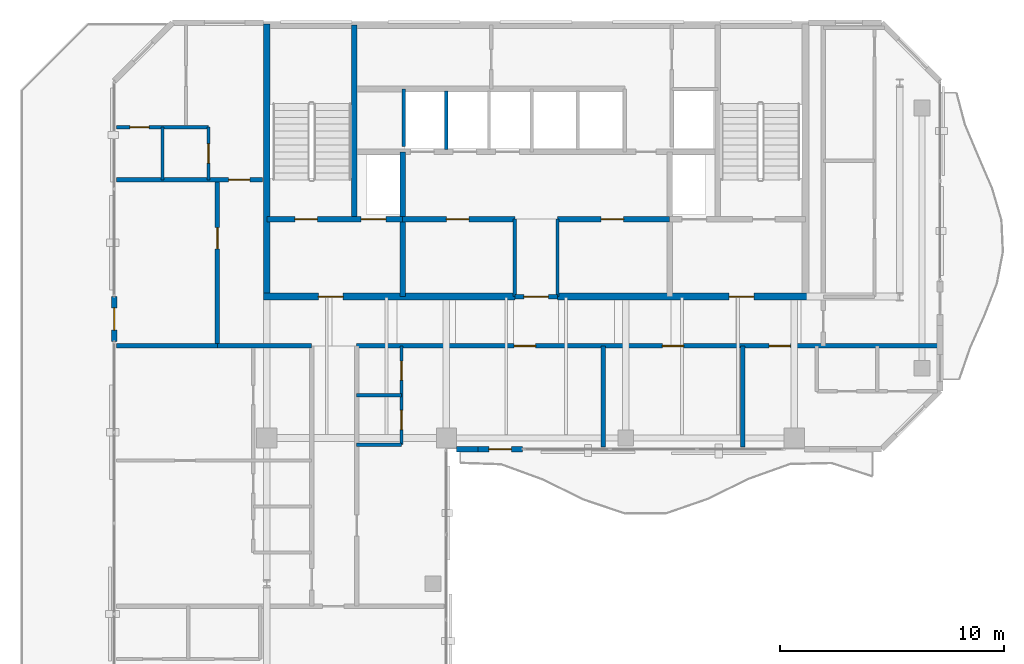
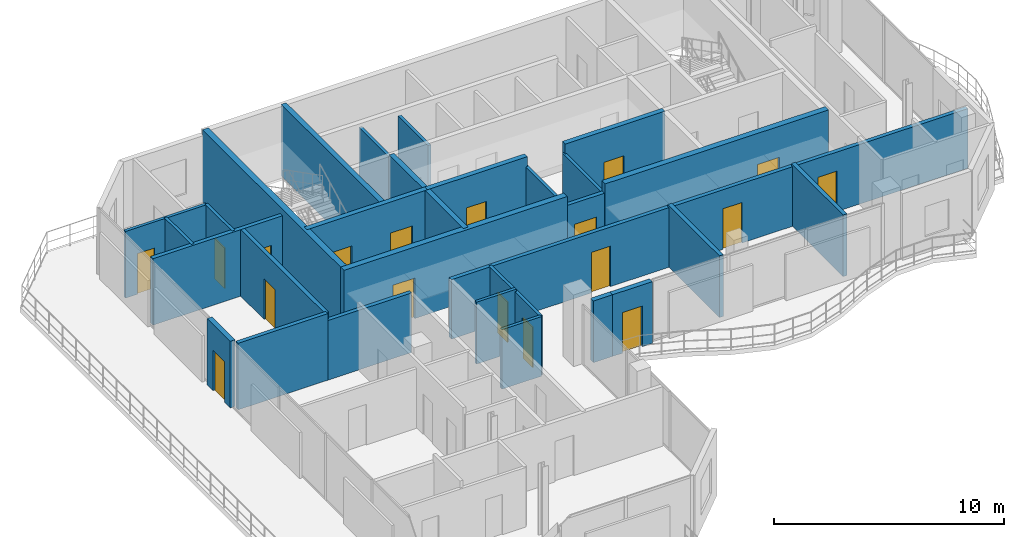
# One storey, part 14 of 18: 29 walls, 18 doors, 18 openings.
"""IFC4 building model written with IfcOpenShell, lengths in metres."""

from ifc_helpers import new_model, si_unit, direction, frame, frame_2d, origin, place, context, subcontext, project, spatial, rectangle, extrude, material, layer, layer_set, type_object, element, fill, save


model = new_model("IFC4")

# Units and contexts
model_context = context("Model", 3, precision=1e-05, world=origin(), true_north=direction((0.0, 1.0)))
body_context = subcontext(model_context, "Body", "Model", "MODEL_VIEW")
ifc_project = project(units=[si_unit("LENGTHUNIT", "METRE"), si_unit("AREAUNIT", "SQUARE_METRE"), si_unit("VOLUMEUNIT", "CUBIC_METRE"), si_unit("PLANEANGLEUNIT", "RADIAN"), si_unit("MASSUNIT", "GRAM", prefix="KILO")], contexts=[model_context])

# Site, building, storey
site_placement = place(None, origin())
site = spatial("IfcSite", under=ifc_project, at=site_placement, CompositionType="ELEMENT")
building_placement = place(site_placement, origin())
building = spatial("IfcBuilding", under=site, at=building_placement, Name="Catumbela Crestline Tower", CompositionType="ELEMENT")
storey_placement = place(building_placement, frame((0.0, 0.0, 264.0)))
storey = spatial("IfcBuildingStorey", under=building, at=storey_placement, Name="L68", CompositionType="ELEMENT", Elevation=264.0)

# Walls
ifc_material_1 = material(Name="Concrete C50/60", Category="concrete")
ifc_layer_1 = layer(ifc_material_1, 0.25, Name="Concrete C50/60")
ifc_layer_set_1 = layer_set([ifc_layer_1], Name="Concrete C50/60")
wall_type_1 = type_object("IfcWallType", Name="CW-250D", PredefinedType="SHEAR", material=ifc_layer_set_1)
wall_1_placement = place(storey_placement, frame((19.9, 34.25, 0.0), z_axis=(0.0, 0.0, 1.0), x_axis=(0.0, 1.0, 0.0)))
element("IfcWall", 1, at=wall_1_placement, inside=storey, type_object=wall_type_1, Name="L68 Structural Core Shear Wall WWEB", PredefinedType="SHEAR", context=body_context, shape_type="SweptSolid", body=[
    extrude(rectangle(XDim=8.65, YDim=0.25, at=frame_2d((4.325, 0.0))), origin(), (0.0, 0.0, 1.0), 3.8),
])
wall_2_placement = place(storey_placement, frame((22.05, 30.8, 0.0), z_axis=(0.0, 0.0, 1.0), x_axis=(0.0, 1.0, 0.0)))
element("IfcWall", 2, at=wall_2_placement, inside=storey, type_object=wall_type_1, Name="L68 Structural Core Shear Wall FFW", PredefinedType="SHEAR", context=body_context, shape_type="SweptSolid", body=[
    extrude(rectangle(XDim=6.45, YDim=0.25, at=frame_2d((3.225, 0.0))), origin(), (0.0, 0.0, 1.0), 3.8),
])

# Wall, openings, doors
wall_3_placement = place(storey_placement, frame((16.0, 34.25, 0.0), z_axis=(0.0, 0.0, 1.0), x_axis=(1.0, 0.0, 0.0)))
wall_3 = element("IfcWall", 3, at=wall_3_placement, inside=storey, type_object=wall_type_1, Name="L68 Structural Core Shear Wall ST1S", PredefinedType="SHEAR", context=body_context, shape_type="SweptSolid", body=[
    extrude(rectangle(XDim=6.05, YDim=0.25, at=frame_2d((3.025, 0.0))), origin(), (0.0, 0.0, 1.0), 3.8),
])
opening_1_placement = place(wall_3_placement, frame((1.25, 0.0, 0.0)))
opening_1 = element("IfcOpeningElement", 4, at=opening_1_placement, cuts=wall_3, Name="Opening DF9-100", PredefinedType="OPENING", context=body_context, shape_type="SweptSolid", body=[
    extrude(rectangle(XDim=1.0, YDim=2.15, at=frame_2d((0.5, 1.075))), frame((0.0, 0.135, 0.0), z_axis=(0.0, -1.0, 0.0), x_axis=(1.0, 0.0, 0.0)), (0.0, 0.0, 1.0), 0.27),
])
opening_2_placement = place(wall_3_placement, frame((4.2, 0.0, 0.0)))
opening_2 = element("IfcOpeningElement", 5, at=opening_2_placement, cuts=wall_3, Name="Opening LD-110", PredefinedType="OPENING", context=body_context, shape_type="SweptSolid", body=[
    extrude(rectangle(XDim=1.1, YDim=2.15, at=frame_2d((0.55, 1.075))), frame((0.0, 0.135, 0.0), z_axis=(0.0, -1.0, 0.0), x_axis=(1.0, 0.0, 0.0)), (0.0, 0.0, 1.0), 0.27),
])
ifc_material_2 = material(Name="Stainless steel EN 1.4401", Category="steel")
door_type_1 = type_object("IfcDoorType", Name="DF9-100", OperationType="NOTDEFINED", PredefinedType="DOOR", material=ifc_material_2)
door_1_placement = place(opening_1_placement, origin())
door_1 = element("IfcDoor", 6, at=door_1_placement, inside=storey, type_object=door_type_1, Name="L68 Interior Door DR-L68-ST01", OperationType="SINGLE_SWING_LEFT", OverallHeight=2.15, OverallWidth=1.0, PredefinedType="DOOR", context=body_context, shape_type="SweptSolid", body=[
    extrude(rectangle(XDim=1.0, YDim=2.15, at=frame_2d((0.5, 1.075))), frame((0.0, 0.025, 0.0), z_axis=(0.0, -1.0, 0.0), x_axis=(1.0, 0.0, 0.0)), (0.0, 0.0, 1.0), 0.05),
])
fill(opening_1, door_1)
door_type_2 = type_object("IfcDoorType", Name="LD-110", OperationType="NOTDEFINED", PredefinedType="DOOR", material=ifc_material_2)
door_2_placement = place(opening_2_placement, origin())
door_2 = element("IfcDoor", 7, at=door_2_placement, inside=storey, type_object=door_type_2, Name="L68 Lift Landing Sliding Door FL-01", OperationType="DOUBLE_DOOR_SLIDING", OverallHeight=2.15, OverallWidth=1.1, PredefinedType="DOOR", context=body_context, shape_type="SweptSolid", body=[
    extrude(rectangle(XDim=1.1, YDim=2.15, at=frame_2d((0.55, 1.075))), frame((0.0, 0.025, 0.0), z_axis=(0.0, -1.0, 0.0), x_axis=(1.0, 0.0, 0.0)), (0.0, 0.0, 1.0), 0.05),
])
fill(opening_2, door_2)

# Wall, opening, door
wall_4_placement = place(storey_placement, frame((22.05, 34.25, 0.0), z_axis=(0.0, 0.0, 1.0), x_axis=(1.0, 0.0, 0.0)))
wall_4 = element("IfcWall", 8, at=wall_4_placement, inside=storey, type_object=wall_type_1, Name="L68 Structural Core Shear Wall LIFTS-W", PredefinedType="SHEAR", context=body_context, shape_type="SweptSolid", body=[
    extrude(rectangle(XDim=5.0, YDim=0.25, at=frame_2d((2.5, 0.0))), origin(), (0.0, 0.0, 1.0), 3.8),
])
opening_3_placement = place(wall_4_placement, frame((1.95, 0.0, 0.0)))
opening_3 = element("IfcOpeningElement", 9, at=opening_3_placement, cuts=wall_4, Name="Opening DF9-100", PredefinedType="OPENING", context=body_context, shape_type="SweptSolid", body=[
    extrude(rectangle(XDim=1.0, YDim=2.15, at=frame_2d((0.5, 1.075))), frame((0.0, 0.135, 0.0), z_axis=(0.0, -1.0, 0.0), x_axis=(1.0, 0.0, 0.0)), (0.0, 0.0, 1.0), 0.27),
])
door_3_placement = place(opening_3_placement, origin())
door_3 = element("IfcDoor", 10, at=door_3_placement, inside=storey, type_object=door_type_1, Name="L68 Interior Door DR-L68-RECL1", OperationType="SINGLE_SWING_LEFT", OverallHeight=2.15, OverallWidth=1.0, PredefinedType="DOOR", context=body_context, shape_type="SweptSolid", body=[
    extrude(rectangle(XDim=1.0, YDim=2.15, at=frame_2d((0.5, 1.075))), frame((0.0, 0.025, 0.0), z_axis=(0.0, -1.0, 0.0), x_axis=(1.0, 0.0, 0.0)), (0.0, 0.0, 1.0), 0.05),
])
fill(opening_3, door_3)

wall_5_placement = place(storey_placement, frame((28.95, 34.25, 0.0), z_axis=(0.0, 0.0, 1.0), x_axis=(1.0, 0.0, 0.0)))
wall_5 = element("IfcWall", 11, at=wall_5_placement, inside=storey, type_object=wall_type_1, Name="L68 Structural Core Shear Wall LIFTS-E", PredefinedType="SHEAR", context=body_context, shape_type="SweptSolid", body=[
    extrude(rectangle(XDim=5.0, YDim=0.25, at=frame_2d((2.5, 0.0))), origin(), (0.0, 0.0, 1.0), 3.8),
])
opening_4_placement = place(wall_5_placement, frame((1.95, 0.0, 0.0)))
opening_4 = element("IfcOpeningElement", 12, at=opening_4_placement, cuts=wall_5, Name="Opening DF9-100", PredefinedType="OPENING", context=body_context, shape_type="SweptSolid", body=[
    extrude(rectangle(XDim=1.0, YDim=2.15, at=frame_2d((0.5, 1.075))), frame((0.0, 0.135, 0.0), z_axis=(0.0, -1.0, 0.0), x_axis=(1.0, 0.0, 0.0)), (0.0, 0.0, 1.0), 0.27),
])
door_4_placement = place(opening_4_placement, origin())
door_4 = element("IfcDoor", 13, at=door_4_placement, inside=storey, type_object=door_type_1, Name="L68 Interior Door DR-L68-RECL2", OperationType="SINGLE_SWING_RIGHT", OverallHeight=2.15, OverallWidth=1.0, PredefinedType="DOOR", context=body_context, shape_type="SweptSolid", body=[
    extrude(rectangle(XDim=1.0, YDim=2.15, at=frame_2d((0.5, 1.075))), frame((0.0, 0.025, 0.0), z_axis=(0.0, -1.0, 0.0), x_axis=(1.0, 0.0, 0.0)), (0.0, 0.0, 1.0), 0.05),
])
fill(opening_4, door_4)

# Wall
ifc_material_3 = material(Name="Concrete C45/55", Category="concrete")
ifc_layer_2 = layer(ifc_material_3, 0.3, Name="Concrete C45/55")
ifc_layer_set_2 = layer_set([ifc_layer_2], Name="Concrete C45/55")
wall_type_2 = type_object("IfcWallType", Name="CW-300C", PredefinedType="SHEAR", material=ifc_layer_set_2)
wall_6_placement = place(storey_placement, frame((16.0, 30.65, 0.0), z_axis=(0.0, 0.0, 1.0), x_axis=(0.0, 1.0, 0.0)))
element("IfcWall", 14, at=wall_6_placement, inside=storey, type_object=wall_type_2, Name="L68 Structural Core Shear Wall W", PredefinedType="SHEAR", context=body_context, shape_type="SweptSolid", body=[
    extrude(rectangle(XDim=12.3, YDim=0.3, at=frame_2d((6.15, 0.0))), origin(), (0.0, 0.0, 1.0), 3.8),
])

# Wall, opening, door
wall_7_placement = place(storey_placement, frame((15.85, 30.8, 0.0), z_axis=(0.0, 0.0, 1.0), x_axis=(1.0, 0.0, 0.0)))
wall_7 = element("IfcWall", 15, at=wall_7_placement, inside=storey, type_object=wall_type_2, Name="L68 Structural Core Shear Wall SW", PredefinedType="SHEAR", context=body_context, shape_type="SweptSolid", body=[
    extrude(rectangle(XDim=11.2, YDim=0.3, at=frame_2d((5.6, 0.0))), origin(), (0.0, 0.0, 1.0), 3.8),
])
opening_5_placement = place(wall_7_placement, frame((2.45, 0.0, 0.0)))
opening_5 = element("IfcOpeningElement", 16, at=opening_5_placement, cuts=wall_7, Name="Opening DF9-110", PredefinedType="OPENING", context=body_context, shape_type="SweptSolid", body=[
    extrude(rectangle(XDim=1.1, YDim=2.15, at=frame_2d((0.55, 1.075))), frame((0.0, 0.16, 0.0), z_axis=(0.0, -1.0, 0.0), x_axis=(1.0, 0.0, 0.0)), (0.0, 0.0, 1.0), 0.32),
])
door_type_3 = type_object("IfcDoorType", Name="DF9-110", OperationType="NOTDEFINED", PredefinedType="DOOR", material=ifc_material_2)
door_5_placement = place(opening_5_placement, origin())
door_5 = element("IfcDoor", 17, at=door_5_placement, inside=storey, type_object=door_type_3, Name="L68 Interior Door DR-L68-FFW-S", OperationType="SINGLE_SWING_LEFT", OverallHeight=2.15, OverallWidth=1.1, PredefinedType="DOOR", context=body_context, shape_type="SweptSolid", body=[
    extrude(rectangle(XDim=1.1, YDim=2.15, at=frame_2d((0.55, 1.075))), frame((0.0, 0.025, 0.0), z_axis=(0.0, -1.0, 0.0), x_axis=(1.0, 0.0, 0.0)), (0.0, 0.0, 1.0), 0.05),
])
fill(opening_5, door_5)

wall_8_placement = place(storey_placement, frame((28.95, 30.8, 0.0), z_axis=(0.0, 0.0, 1.0), x_axis=(1.0, 0.0, 0.0)))
wall_8 = element("IfcWall", 18, at=wall_8_placement, inside=storey, type_object=wall_type_2, Name="L68 Structural Core Shear Wall SE", PredefinedType="SHEAR", context=body_context, shape_type="SweptSolid", body=[
    extrude(rectangle(XDim=11.2, YDim=0.3, at=frame_2d((5.6, 0.0))), origin(), (0.0, 0.0, 1.0), 3.8),
])
opening_6_placement = place(wall_8_placement, frame((7.65, 0.0, 0.0)))
opening_6 = element("IfcOpeningElement", 19, at=opening_6_placement, cuts=wall_8, Name="Opening DF9-110", PredefinedType="OPENING", context=body_context, shape_type="SweptSolid", body=[
    extrude(rectangle(XDim=1.1, YDim=2.15, at=frame_2d((0.55, 1.075))), frame((0.0, 0.16, 0.0), z_axis=(0.0, -1.0, 0.0), x_axis=(1.0, 0.0, 0.0)), (0.0, 0.0, 1.0), 0.32),
])
door_6_placement = place(opening_6_placement, origin())
door_6 = element("IfcDoor", 20, at=door_6_placement, inside=storey, type_object=door_type_3, Name="L68 Interior Door DR-L68-FFE-S", OperationType="SINGLE_SWING_RIGHT", OverallHeight=2.15, OverallWidth=1.1, PredefinedType="DOOR", context=body_context, shape_type="SweptSolid", body=[
    extrude(rectangle(XDim=1.1, YDim=2.15, at=frame_2d((0.55, 1.075))), frame((0.0, 0.025, 0.0), z_axis=(0.0, -1.0, 0.0), x_axis=(1.0, 0.0, 0.0)), (0.0, 0.0, 1.0), 0.05),
])
fill(opening_6, door_6)

ifc_material_4 = material(Name="Acoustic gypsum and mineral-wool partition")
ifc_layer_3 = layer(ifc_material_4, 0.2, Name="Acoustic gypsum and mineral-wool partition")
ifc_layer_set_3 = layer_set([ifc_layer_3], Name="Acoustic gypsum and mineral-wool partition")
wall_type_3 = type_object("IfcWallType", Name="WC-200", PredefinedType="PARTITIONING", material=ifc_layer_set_3)
wall_9_placement = place(storey_placement, frame((27.05, 30.8, 0.0), z_axis=(0.0, 0.0, 1.0), x_axis=(1.0, 0.0, 0.0)))
wall_9 = element("IfcWall", 21, at=wall_9_placement, inside=storey, type_object=wall_type_3, Name="L68 Interior Partition PW-L68-CLOBS", PredefinedType="PARTITIONING", context=body_context, shape_type="SweptSolid", body=[
    extrude(rectangle(XDim=1.9, YDim=0.2, at=frame_2d((0.95, 0.0))), origin(), (0.0, 0.0, 1.0), 3.28),
])
opening_7_placement = place(wall_9_placement, frame((0.4, 0.0, 0.0)))
opening_7 = element("IfcOpeningElement", 22, at=opening_7_placement, cuts=wall_9, Name="Opening DF9-110", PredefinedType="OPENING", context=body_context, shape_type="SweptSolid", body=[
    extrude(rectangle(XDim=1.1, YDim=2.15, at=frame_2d((0.55, 1.075))), frame((0.0, 0.11, 0.0), z_axis=(0.0, -1.0, 0.0), x_axis=(1.0, 0.0, 0.0)), (0.0, 0.0, 1.0), 0.22),
])
door_7_placement = place(opening_7_placement, origin())
door_7 = element("IfcDoor", 23, at=door_7_placement, inside=storey, type_object=door_type_3, Name="L68 Interior Door DR-L68-CLOBS", OperationType="SINGLE_SWING_LEFT", OverallHeight=2.15, OverallWidth=1.1, PredefinedType="DOOR", context=body_context, shape_type="SweptSolid", body=[
    extrude(rectangle(XDim=1.1, YDim=2.15, at=frame_2d((0.55, 1.075))), frame((0.0, 0.025, 0.0), z_axis=(0.0, -1.0, 0.0), x_axis=(1.0, 0.0, 0.0)), (0.0, 0.0, 1.0), 0.05),
])
fill(opening_7, door_7)

# Wall
wall_10_placement = place(storey_placement, frame((13.8, 28.6, 0.0), z_axis=(0.0, 0.0, 1.0), x_axis=(1.0, 0.0, 0.0)))
element("IfcWall", 24, at=wall_10_placement, inside=storey, type_object=wall_type_3, Name="L68 Interior Partition PW-L68-RCWL", PredefinedType="PARTITIONING", context=body_context, shape_type="SweptSolid", body=[
    extrude(rectangle(XDim=4.2, YDim=0.2, at=frame_2d((2.1, 0.0))), origin(), (0.0, 0.0, 1.0), 3.16),
])

# Wall, openings, doors
wall_11_placement = place(storey_placement, frame((20.0, 28.6, 0.0), z_axis=(0.0, 0.0, 1.0), x_axis=(1.0, 0.0, 0.0)))
wall_11 = element("IfcWall", 25, at=wall_11_placement, inside=storey, type_object=wall_type_3, Name="L68 Interior Partition PW-L68-RCWR", PredefinedType="PARTITIONING", context=body_context, shape_type="SweptSolid", body=[
    extrude(rectangle(XDim=25.9, YDim=0.2, at=frame_2d((12.95, 0.0))), origin(), (0.0, 0.0, 1.0), 3.16),
])
opening_8_placement = place(wall_11_placement, frame((7.025, 0.0, 0.0)))
opening_8 = element("IfcOpeningElement", 26, at=opening_8_placement, cuts=wall_11, Name="Opening DF6-095", PredefinedType="OPENING", context=body_context, shape_type="SweptSolid", body=[
    extrude(rectangle(XDim=0.95, YDim=2.15, at=frame_2d((0.475, 1.075))), frame((0.0, 0.11, 0.0), z_axis=(0.0, -1.0, 0.0), x_axis=(1.0, 0.0, 0.0)), (0.0, 0.0, 1.0), 0.22),
])
opening_9_placement = place(wall_11_placement, frame((13.625, 0.0, 0.0)))
opening_9 = element("IfcOpeningElement", 27, at=opening_9_placement, cuts=wall_11, Name="Opening DF6-095", PredefinedType="OPENING", context=body_context, shape_type="SweptSolid", body=[
    extrude(rectangle(XDim=0.95, YDim=2.15, at=frame_2d((0.475, 1.075))), frame((0.0, 0.11, 0.0), z_axis=(0.0, -1.0, 0.0), x_axis=(1.0, 0.0, 0.0)), (0.0, 0.0, 1.0), 0.22),
])
opening_10_placement = place(wall_11_placement, frame((18.378, 0.0, 0.0)))
opening_10 = element("IfcOpeningElement", 28, at=opening_10_placement, cuts=wall_11, Name="Opening DF6-095", PredefinedType="OPENING", context=body_context, shape_type="SweptSolid", body=[
    extrude(rectangle(XDim=0.95, YDim=2.15, at=frame_2d((0.475, 1.075))), frame((0.0, 0.11, 0.0), z_axis=(0.0, -1.0, 0.0), x_axis=(1.0, 0.0, 0.0)), (0.0, 0.0, 1.0), 0.22),
])
ifc_material_5 = material(Name="Aluminium alloy AW-6060-T66", Category="aluminium")
door_type_4 = type_object("IfcDoorType", Name="DF6-095", OperationType="NOTDEFINED", PredefinedType="DOOR", material=ifc_material_5)
door_8_placement = place(opening_8_placement, origin())
door_8 = element("IfcDoor", 29, at=door_8_placement, inside=storey, type_object=door_type_4, Name="L68 Interior Door DR-L68-Z4G41-ENT", OperationType="SINGLE_SWING_LEFT", OverallHeight=2.15, OverallWidth=0.95, PredefinedType="DOOR", context=body_context, shape_type="SweptSolid", body=[
    extrude(rectangle(XDim=0.95, YDim=2.15, at=frame_2d((0.475, 1.075))), frame((0.0, 0.025, 0.0), z_axis=(0.0, -1.0, 0.0), x_axis=(1.0, 0.0, 0.0)), (0.0, 0.0, 1.0), 0.05),
])
fill(opening_8, door_8)
door_9_placement = place(opening_9_placement, origin())
door_9 = element("IfcDoor", 30, at=door_9_placement, inside=storey, type_object=door_type_4, Name="L68 Interior Door DR-L68-Z4G42-ENT", OperationType="SINGLE_SWING_RIGHT", OverallHeight=2.15, OverallWidth=0.95, PredefinedType="DOOR", context=body_context, shape_type="SweptSolid", body=[
    extrude(rectangle(XDim=0.95, YDim=2.15, at=frame_2d((0.475, 1.075))), frame((0.0, 0.025, 0.0), z_axis=(0.0, -1.0, 0.0), x_axis=(1.0, 0.0, 0.0)), (0.0, 0.0, 1.0), 0.05),
])
fill(opening_9, door_9)
door_10_placement = place(opening_10_placement, origin())
door_10 = element("IfcDoor", 31, at=door_10_placement, inside=storey, type_object=door_type_4, Name="L68 Interior Door DR-L68-S3-ENT", OperationType="SINGLE_SWING_LEFT", OverallHeight=2.15, OverallWidth=0.95, PredefinedType="DOOR", context=body_context, shape_type="SweptSolid", body=[
    extrude(rectangle(XDim=0.95, YDim=2.15, at=frame_2d((0.475, 1.075))), frame((0.0, 0.025, 0.0), z_axis=(0.0, -1.0, 0.0), x_axis=(1.0, 0.0, 0.0)), (0.0, 0.0, 1.0), 0.05),
])
fill(opening_10, door_10)

# Wall, opening, door
wall_12_placement = place(storey_placement, frame((13.8, 28.6, 0.0), z_axis=(0.0, 0.0, 1.0), x_axis=(0.0, 1.0, 0.0)))
wall_12 = element("IfcWall", 32, at=wall_12_placement, inside=storey, type_object=wall_type_3, Name="L68 Interior Partition PW-L68-NWAM-ENT", PredefinedType="PARTITIONING", context=body_context, shape_type="SweptSolid", body=[
    extrude(rectangle(XDim=7.4, YDim=0.2, at=frame_2d((3.7, 0.0))), origin(), (0.0, 0.0, 1.0), 3.53),
])
opening_11_placement = place(wall_12_placement, frame((4.325, 0.0, 0.0)))
opening_11 = element("IfcOpeningElement", 33, at=opening_11_placement, cuts=wall_12, Name="Opening DF6-095", PredefinedType="OPENING", context=body_context, shape_type="SweptSolid", body=[
    extrude(rectangle(XDim=0.95, YDim=2.15, at=frame_2d((0.475, 1.075))), frame((0.0, 0.11, 0.0), z_axis=(0.0, -1.0, 0.0), x_axis=(1.0, 0.0, 0.0)), (0.0, 0.0, 1.0), 0.22),
])
door_11_placement = place(opening_11_placement, origin())
door_11 = element("IfcDoor", 34, at=door_11_placement, inside=storey, type_object=door_type_4, Name="L68 Interior Door DR-L68-NWAM-ENT", OperationType="SINGLE_SWING_RIGHT", OverallHeight=2.15, OverallWidth=0.95, PredefinedType="DOOR", context=body_context, shape_type="SweptSolid", body=[
    extrude(rectangle(XDim=0.95, YDim=2.15, at=frame_2d((0.475, 1.075))), frame((0.0, 0.025, 0.0), z_axis=(0.0, -1.0, 0.0), x_axis=(1.0, 0.0, 0.0)), (0.0, 0.0, 1.0), 0.05),
])
fill(opening_11, door_11)

wall_13_placement = place(storey_placement, frame((9.3, 36.0, 0.0), z_axis=(0.0, 0.0, 1.0), x_axis=(1.0, 0.0, 0.0)))
wall_13 = element("IfcWall", 35, at=wall_13_placement, inside=storey, type_object=wall_type_3, Name="L68 Interior Partition PW-L68-NW1-ENT", PredefinedType="PARTITIONING", context=body_context, shape_type="SweptSolid", body=[
    extrude(rectangle(XDim=6.5, YDim=0.2, at=frame_2d((3.25, 0.0))), origin(), (0.0, 0.0, 1.0), 3.53),
])
opening_12_placement = place(wall_13_placement, frame((4.995, 0.0, 0.0)))
opening_12 = element("IfcOpeningElement", 36, at=opening_12_placement, cuts=wall_13, Name="Opening DF6-095", PredefinedType="OPENING", context=body_context, shape_type="SweptSolid", body=[
    extrude(rectangle(XDim=0.95, YDim=2.15, at=frame_2d((0.475, 1.075))), frame((0.0, 0.11, 0.0), z_axis=(0.0, -1.0, 0.0), x_axis=(1.0, 0.0, 0.0)), (0.0, 0.0, 1.0), 0.22),
])
door_12_placement = place(opening_12_placement, origin())
door_12 = element("IfcDoor", 37, at=door_12_placement, inside=storey, type_object=door_type_4, Name="L68 Interior Door DR-L68-NW1-ENT", OperationType="SINGLE_SWING_LEFT", OverallHeight=2.15, OverallWidth=0.95, PredefinedType="DOOR", context=body_context, shape_type="SweptSolid", body=[
    extrude(rectangle(XDim=0.95, YDim=2.15, at=frame_2d((0.475, 1.075))), frame((0.0, 0.025, 0.0), z_axis=(0.0, -1.0, 0.0), x_axis=(1.0, 0.0, 0.0)), (0.0, 0.0, 1.0), 0.05),
])
fill(opening_12, door_12)

ifc_material_6 = material(Name="Angolan grey-ochre granite", Category="masonry")
ifc_layer_4 = layer(ifc_material_6, 0.25, Name="Angolan grey-ochre granite")
ifc_layer_set_4 = layer_set([ifc_layer_4], Name="Angolan grey-ochre granite")
wall_type_4 = type_object("IfcWallType", Name="WE-250", PredefinedType="STANDARD", material=ifc_layer_set_4)
wall_14_placement = place(storey_placement, frame((25.4, 24.0, 0.0), z_axis=(0.0, 0.0, 1.0), x_axis=(1.0, 0.0, 0.0)))
wall_14 = element("IfcWall", 38, at=wall_14_placement, inside=storey, type_object=wall_type_4, Name="L68 Exterior Threshold Portal Wall DR-L68-WBAL-1", PredefinedType="STANDARD", context=body_context, shape_type="SweptSolid", body=[
    extrude(rectangle(XDim=2.0, YDim=0.25, at=frame_2d((1.0, 0.0))), origin(), (0.0, 0.0, 1.0), 3.27),
])
opening_13_placement = place(wall_14_placement, frame((0.5, 0.0, 0.0)))
opening_13 = element("IfcOpeningElement", 39, at=opening_13_placement, cuts=wall_14, Name="Opening DB-L68-1", PredefinedType="OPENING", context=body_context, shape_type="SweptSolid", body=[
    extrude(rectangle(XDim=1.0, YDim=2.15, at=frame_2d((0.5, 1.075))), frame((0.0, 0.135, 0.0), z_axis=(0.0, -1.0, 0.0), x_axis=(1.0, 0.0, 0.0)), (0.0, 0.0, 1.0), 0.27),
])
door_type_5 = type_object("IfcDoorType", Name="DB-1000", OperationType="NOTDEFINED", PredefinedType="DOOR", material=ifc_material_5)
door_13_placement = place(opening_13_placement, origin())
door_13 = element("IfcDoor", 40, at=door_13_placement, inside=storey, type_object=door_type_5, Name="L68 Wave Balcony Terrace Door 1", OperationType="SINGLE_SWING_RIGHT", OverallHeight=2.15, OverallWidth=1.0, PredefinedType="DOOR", context=body_context, shape_type="SweptSolid", body=[
    extrude(rectangle(XDim=1.0, YDim=2.15, at=frame_2d((0.5, 1.075))), frame((0.0, 0.025, 0.0), z_axis=(0.0, -1.0, 0.0), x_axis=(1.0, 0.0, 0.0)), (0.0, 0.0, 1.0), 0.05),
])
fill(opening_13, door_13)

# Wall
wall_15_placement = place(storey_placement, frame((24.45, 24.0, 0.0), z_axis=(0.0, 0.0, 1.0), x_axis=(1.0, 0.0, 0.0)))
element("IfcWall", 41, at=wall_15_placement, inside=storey, type_object=wall_type_4, Name="L68 Granite Punched Window Wall 3-1", PredefinedType="STANDARD", context=body_context, shape_type="SweptSolid", body=[
    extrude(rectangle(XDim=0.95, YDim=0.25, at=frame_2d((0.475, 0.0))), origin(), (0.0, 0.0, 1.0), 3.27),
])

# Wall, opening, door
wall_16_placement = place(storey_placement, frame((9.2, 30.8, 0.0), z_axis=(0.0, 0.0, 1.0), x_axis=(0.0, -1.0, 0.0)))
wall_16 = element("IfcWall", 42, at=wall_16_placement, inside=storey, type_object=wall_type_4, Name="L68 Exterior Threshold Portal Wall DR-L68-STEP-W1", PredefinedType="STANDARD", context=body_context, shape_type="SweptSolid", body=[
    extrude(rectangle(XDim=2.0, YDim=0.25, at=frame_2d((1.0, 0.0))), origin(), (0.0, 0.0, 1.0), 3.53),
])
opening_14_placement = place(wall_16_placement, frame((0.5, 0.0, 0.0)))
opening_14 = element("IfcOpeningElement", 43, at=opening_14_placement, cuts=wall_16, Name="Opening DT-L68", PredefinedType="OPENING", context=body_context, shape_type="SweptSolid", body=[
    extrude(rectangle(XDim=1.0, YDim=2.15, at=frame_2d((0.5, 1.075))), frame((0.0, 0.135, 0.0), z_axis=(0.0, -1.0, 0.0), x_axis=(1.0, 0.0, 0.0)), (0.0, 0.0, 1.0), 0.27),
])
door_14_placement = place(opening_14_placement, origin())
door_14 = element("IfcDoor", 44, at=door_14_placement, inside=storey, type_object=door_type_5, Name="L68 West Stepped Terrace Door", OperationType="SINGLE_SWING_LEFT", OverallHeight=2.15, OverallWidth=1.0, PredefinedType="DOOR", context=body_context, shape_type="SweptSolid", body=[
    extrude(rectangle(XDim=1.0, YDim=2.15, at=frame_2d((0.5, 1.075))), frame((0.0, 0.025, 0.0), z_axis=(0.0, -1.0, 0.0), x_axis=(1.0, 0.0, 0.0)), (0.0, 0.0, 1.0), 0.05),
])
fill(opening_14, door_14)

ifc_layer_5 = layer(ifc_material_4, 0.15, Name="Acoustic gypsum and mineral-wool partition")
ifc_layer_set_5 = layer_set([ifc_layer_5], Name="Acoustic gypsum and mineral-wool partition")
wall_type_5 = type_object("IfcWallType", Name="WP-150", PredefinedType="PARTITIONING", material=ifc_layer_set_5)
wall_17_placement = place(storey_placement, frame((13.4, 36.0, 0.0), z_axis=(0.0, 0.0, 1.0), x_axis=(0.0, 1.0, 0.0)))
wall_17 = element("IfcWall", 45, at=wall_17_placement, inside=storey, type_object=wall_type_5, Name="L68 Interior Partition PW-L68-NW1-KBE", PredefinedType="PARTITIONING", context=body_context, shape_type="SweptSolid", body=[
    extrude(rectangle(XDim=2.35, YDim=0.15, at=frame_2d((1.175, 0.0))), origin(), (0.0, 0.0, 1.0), 3.53),
])
opening_15_placement = place(wall_17_placement, frame((0.75, 0.0, 0.0)))
opening_15 = element("IfcOpeningElement", 46, at=opening_15_placement, cuts=wall_17, Name="Opening DI-085", PredefinedType="OPENING", context=body_context, shape_type="SweptSolid", body=[
    extrude(rectangle(XDim=0.85, YDim=2.15, at=frame_2d((0.425, 1.075))), frame((0.0, 0.085, 0.0), z_axis=(0.0, -1.0, 0.0), x_axis=(1.0, 0.0, 0.0)), (0.0, 0.0, 1.0), 0.17),
])
door_type_6 = type_object("IfcDoorType", Name="DI-085", OperationType="NOTDEFINED", PredefinedType="DOOR", material=ifc_material_5)
door_15_placement = place(opening_15_placement, origin())
door_15 = element("IfcDoor", 47, at=door_15_placement, inside=storey, type_object=door_type_6, Name="L68 Interior Door DR-L68-NW1-BTH", OperationType="SINGLE_SWING_LEFT", OverallHeight=2.15, OverallWidth=0.85, PredefinedType="DOOR", context=body_context, shape_type="SweptSolid", body=[
    extrude(rectangle(XDim=0.85, YDim=2.15, at=frame_2d((0.425, 1.075))), frame((0.0, 0.025, 0.0), z_axis=(0.0, -1.0, 0.0), x_axis=(1.0, 0.0, 0.0)), (0.0, 0.0, 1.0), 0.05),
])
fill(opening_15, door_15)

# Wall
wall_18_placement = place(storey_placement, frame((11.35, 36.0, 0.0), z_axis=(0.0, 0.0, 1.0), x_axis=(0.0, 1.0, 0.0)))
element("IfcWall", 48, at=wall_18_placement, inside=storey, type_object=wall_type_5, Name="L68 Interior Partition PW-L68-NW1-KBM", PredefinedType="PARTITIONING", context=body_context, shape_type="SweptSolid", body=[
    extrude(rectangle(XDim=2.35, YDim=0.15, at=frame_2d((1.175, 0.0))), origin(), (0.0, 0.0, 1.0), 3.53),
])

# Wall, opening, door
wall_19_placement = place(storey_placement, frame((9.3, 38.35, 0.0), z_axis=(0.0, 0.0, 1.0), x_axis=(1.0, 0.0, 0.0)))
wall_19 = element("IfcWall", 49, at=wall_19_placement, inside=storey, type_object=wall_type_5, Name="L68 Interior Partition PW-L68-NW1-KBD1", PredefinedType="PARTITIONING", context=body_context, shape_type="SweptSolid", body=[
    extrude(rectangle(XDim=4.1, YDim=0.15, at=frame_2d((2.05, 0.0))), origin(), (0.0, 0.0, 1.0), 3.53),
])
opening_16_placement = place(wall_19_placement, frame((0.6, 0.0, 0.0)))
opening_16 = element("IfcOpeningElement", 50, at=opening_16_placement, cuts=wall_19, Name="Opening DI-085", PredefinedType="OPENING", context=body_context, shape_type="SweptSolid", body=[
    extrude(rectangle(XDim=0.85, YDim=2.15, at=frame_2d((0.425, 1.075))), frame((0.0, 0.085, 0.0), z_axis=(0.0, -1.0, 0.0), x_axis=(1.0, 0.0, 0.0)), (0.0, 0.0, 1.0), 0.17),
])
door_16_placement = place(opening_16_placement, origin())
door_16 = element("IfcDoor", 51, at=door_16_placement, inside=storey, type_object=door_type_6, Name="L68 Interior Door DR-L68-NW1-KIT", OperationType="SINGLE_SWING_LEFT", OverallHeight=2.15, OverallWidth=0.85, PredefinedType="DOOR", context=body_context, shape_type="SweptSolid", body=[
    extrude(rectangle(XDim=0.85, YDim=2.15, at=frame_2d((0.425, 1.075))), frame((0.0, 0.025, 0.0), z_axis=(0.0, -1.0, 0.0), x_axis=(1.0, 0.0, 0.0)), (0.0, 0.0, 1.0), 0.05),
])
fill(opening_16, door_16)

# Walls
wall_20_placement = place(storey_placement, frame((20.0, 24.2, 0.0), z_axis=(0.0, 0.0, 1.0), x_axis=(1.0, 0.0, 0.0)))
element("IfcWall", 52, at=wall_20_placement, inside=storey, type_object=wall_type_5, Name="L68 Interior Partition PW-L68-WR1-KBS", PredefinedType="PARTITIONING", context=body_context, shape_type="SweptSolid", body=[
    extrude(rectangle(XDim=2.0, YDim=0.15, at=frame_2d((1.0, 0.0))), origin(), (0.0, 0.0, 1.0), 3.16),
])
wall_21_placement = place(storey_placement, frame((20.0, 26.4, 0.0), z_axis=(0.0, 0.0, 1.0), x_axis=(1.0, 0.0, 0.0)))
element("IfcWall", 53, at=wall_21_placement, inside=storey, type_object=wall_type_5, Name="L68 Interior Partition PW-L68-WR1-KBM", PredefinedType="PARTITIONING", context=body_context, shape_type="SweptSolid", body=[
    extrude(rectangle(XDim=2.0, YDim=0.15, at=frame_2d((1.0, 0.0))), origin(), (0.0, 0.0, 1.0), 3.28),
])

# Wall, openings, doors
wall_22_placement = place(storey_placement, frame((22.0, 24.2, 0.0), z_axis=(0.0, 0.0, 1.0), x_axis=(0.0, 1.0, 0.0)))
wall_22 = element("IfcWall", 54, at=wall_22_placement, inside=storey, type_object=wall_type_5, Name="L68 Interior Partition PW-L68-WR1-SK1", PredefinedType="PARTITIONING", context=body_context, shape_type="SweptSolid", body=[
    extrude(rectangle(XDim=4.4, YDim=0.15, at=frame_2d((2.2, 0.0))), origin(), (0.0, 0.0, 1.0), 3.16),
])
opening_17_placement = place(wall_22_placement, frame((0.675, 0.0, 0.0)))
opening_17 = element("IfcOpeningElement", 55, at=opening_17_placement, cuts=wall_22, Name="Opening DI-085", PredefinedType="OPENING", context=body_context, shape_type="SweptSolid", body=[
    extrude(rectangle(XDim=0.85, YDim=2.15, at=frame_2d((0.425, 1.075))), frame((0.0, 0.085, 0.0), z_axis=(0.0, -1.0, 0.0), x_axis=(1.0, 0.0, 0.0)), (0.0, 0.0, 1.0), 0.17),
])
opening_18_placement = place(wall_22_placement, frame((2.875, 0.0, 0.0)))
opening_18 = element("IfcOpeningElement", 56, at=opening_18_placement, cuts=wall_22, Name="Opening DI-085", PredefinedType="OPENING", context=body_context, shape_type="SweptSolid", body=[
    extrude(rectangle(XDim=0.85, YDim=2.15, at=frame_2d((0.425, 1.075))), frame((0.0, 0.085, 0.0), z_axis=(0.0, -1.0, 0.0), x_axis=(1.0, 0.0, 0.0)), (0.0, 0.0, 1.0), 0.17),
])
door_17_placement = place(opening_17_placement, origin())
door_17 = element("IfcDoor", 57, at=door_17_placement, inside=storey, type_object=door_type_6, Name="L68 Interior Door DR-L68-WR1-KIT", OperationType="SINGLE_SWING_LEFT", OverallHeight=2.15, OverallWidth=0.85, PredefinedType="DOOR", context=body_context, shape_type="SweptSolid", body=[
    extrude(rectangle(XDim=0.85, YDim=2.15, at=frame_2d((0.425, 1.075))), frame((0.0, 0.025, 0.0), z_axis=(0.0, -1.0, 0.0), x_axis=(1.0, 0.0, 0.0)), (0.0, 0.0, 1.0), 0.05),
])
fill(opening_17, door_17)
door_18_placement = place(opening_18_placement, origin())
door_18 = element("IfcDoor", 58, at=door_18_placement, inside=storey, type_object=door_type_6, Name="L68 Interior Door DR-L68-WR1-BTH", OperationType="SINGLE_SWING_RIGHT", OverallHeight=2.15, OverallWidth=0.85, PredefinedType="DOOR", context=body_context, shape_type="SweptSolid", body=[
    extrude(rectangle(XDim=0.85, YDim=2.15, at=frame_2d((0.425, 1.075))), frame((0.0, 0.025, 0.0), z_axis=(0.0, -1.0, 0.0), x_axis=(1.0, 0.0, 0.0)), (0.0, 0.0, 1.0), 0.05),
])
fill(opening_18, door_18)

# Walls
ifc_layer_6 = layer(ifc_material_4, 0.2, Name="Acoustic gypsum and mineral-wool partition")
ifc_layer_set_6 = layer_set([ifc_layer_6], Name="Acoustic gypsum and mineral-wool partition")
wall_type_6 = type_object("IfcWallType", Name="WY-200", PredefinedType="PARTITIONING", material=ifc_layer_set_6)
wall_23_placement = place(storey_placement, frame((9.3, 28.6, 0.0), z_axis=(0.0, 0.0, 1.0), x_axis=(1.0, 0.0, 0.0)))
element("IfcWall", 59, at=wall_23_placement, inside=storey, type_object=wall_type_6, Name="L68 Interior Partition PW-L68-RCWNW", PredefinedType="PARTITIONING", context=body_context, shape_type="SweptSolid", body=[
    extrude(rectangle(XDim=4.5, YDim=0.2, at=frame_2d((2.25, 0.0))), origin(), (0.0, 0.0, 1.0), 3.53),
])
for number, where, z_axis, x_axis, name in (
    (60, (31.0, 24.1, 0.0), (0.0, 0.0, 1.0), (0.0, 1.0, 0.0), "L68 Interior Partition PW-L68-RSPP-2"),
    (61, (37.2, 24.1, 0.0), (0.0, 0.0, 1.0), (0.0, 1.0, 0.0), "L68 Interior Partition PW-L68-RSPP-3"),
):
    element("IfcWall", number, at=place(storey_placement, frame(where, z_axis=z_axis, x_axis=x_axis)), inside=storey, type_object=wall_type_6, Name=name, PredefinedType="PARTITIONING", context=body_context, shape_type="SweptSolid", body=[
        extrude(rectangle(XDim=4.5, YDim=0.2, at=frame_2d((2.25, 0.0))), origin(), (0.0, 0.0, 1.0), 3.27),
    ])
ifc_layer_7 = layer(ifc_material_4, 0.15, Name="Acoustic gypsum and mineral-wool partition")
ifc_layer_set_7 = layer_set([ifc_layer_7], Name="Acoustic gypsum and mineral-wool partition")
wall_type_7 = type_object("IfcWallType", Name="WS-150", PredefinedType="PLUMBINGWALL", material=ifc_layer_set_7)
for number, where, z_axis, x_axis, name in (
    (62, (27.05, 30.8, 0.0), (0.0, 0.0, 1.0), (0.0, 1.0, 0.0), "L68 Interior Partition PW-L68-THRW"),
    (63, (28.95, 30.8, 0.0), (0.0, 0.0, 1.0), (0.0, 1.0, 0.0), "L68 Interior Partition PW-L68-THRE"),
):
    element("IfcWall", number, at=place(storey_placement, frame(where, z_axis=z_axis, x_axis=x_axis)), inside=storey, type_object=wall_type_7, Name=name, PredefinedType="PLUMBINGWALL", context=body_context, shape_type="SweptSolid", body=[
        extrude(rectangle(XDim=3.45, YDim=0.15, at=frame_2d((1.725, 0.0))), origin(), (0.0, 0.0, 1.0), 3.28),
    ])
wall_24_placement = place(storey_placement, frame((22.1, 37.4897, 0.0), z_axis=(0.0, 0.0, 1.0), x_axis=(0.0, 1.0, 0.0)))
element("IfcWall", 64, at=wall_24_placement, inside=storey, type_object=wall_type_7, Name="L68 Interior Partition PW-L68-SHH0", PredefinedType="PLUMBINGWALL", context=body_context, shape_type="SweptSolid", body=[
    extrude(rectangle(XDim=2.5603, YDim=0.15, at=frame_2d((1.2801, 0.0))), origin(), (0.0, 0.0, 1.0), 3.53),
])
wall_25_placement = place(storey_placement, frame((24.0, 37.35, 0.0), z_axis=(0.0, 0.0, 1.0), x_axis=(0.0, 1.0, 0.0)))
element("IfcWall", 65, at=wall_25_placement, inside=storey, type_object=wall_type_7, Name="L68 Interior Partition PW-L68-SHH1", PredefinedType="PLUMBINGWALL", context=body_context, shape_type="SweptSolid", body=[
    extrude(rectangle(XDim=2.6, YDim=0.15, at=frame_2d((1.3, 0.0))), origin(), (0.0, 0.0, 1.0), 3.53),
])

save(model, "model.ifc")
